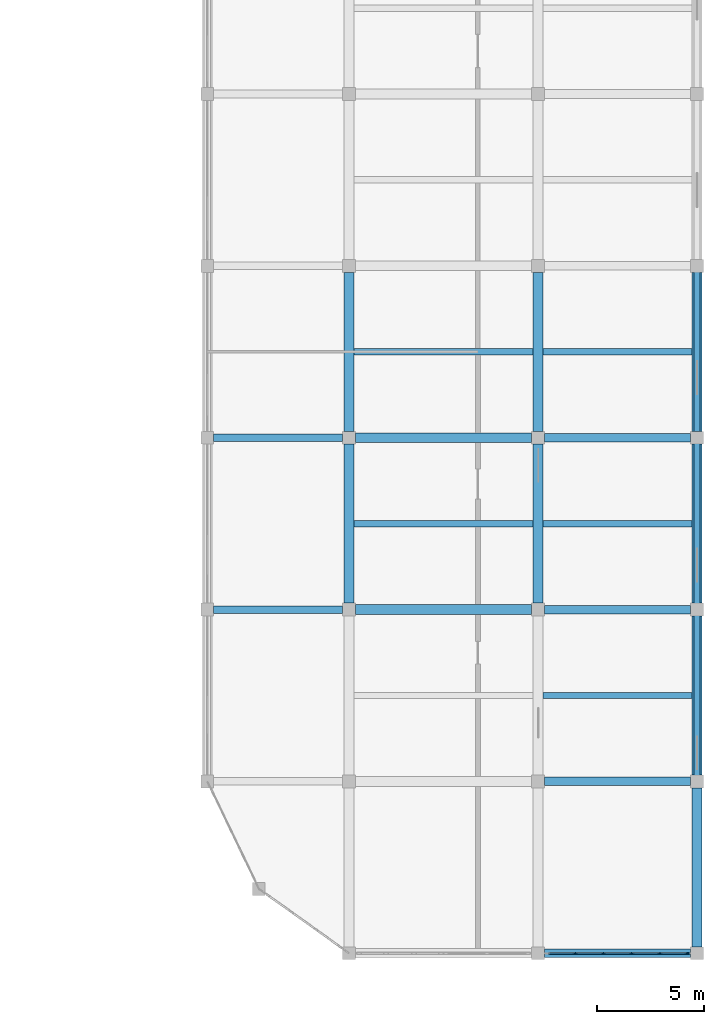
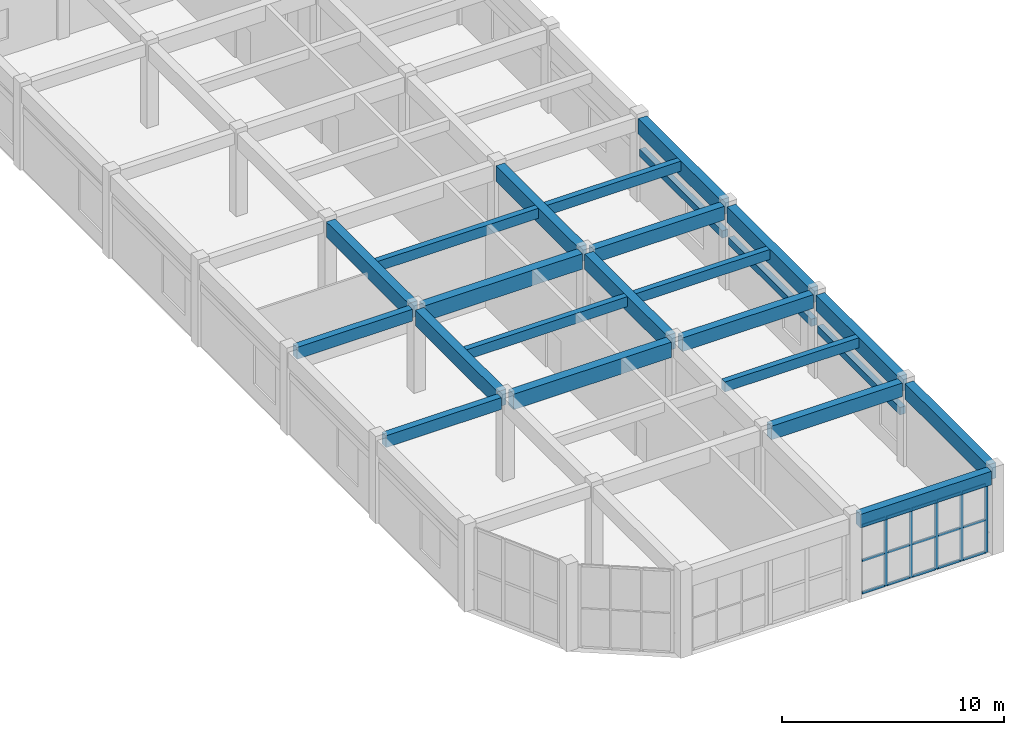
# One storey, part 40 of 76: 24 beams, 20 members, 1 element without a shape of its own.
"""IFC4 building model written with IfcOpenShell, lengths in metres."""

from ifc_helpers import new_model, si_unit, direction, frame, origin, origin_2d, place, context, subcontext, project, spatial, rectangle, extrude, material, layer, layer_set, material_profile, profile_set, type_object, element, aggregate, save


model = new_model("IFC4")

# Units and contexts
model_context = context("Model", 3, precision=1e-05, world=origin(), true_north=direction((0.0, 1.0)))
body_context = subcontext(model_context, "Body", "Model", "MODEL_VIEW")
ifc_project = project(units=[si_unit("LENGTHUNIT", "METRE"), si_unit("AREAUNIT", "SQUARE_METRE"), si_unit("VOLUMEUNIT", "CUBIC_METRE"), si_unit("PLANEANGLEUNIT", "RADIAN"), si_unit("MASSUNIT", "GRAM", prefix="KILO")], contexts=[model_context])

# Site, building, storey
site_placement = place(None, origin())
site = spatial("IfcSite", under=ifc_project, at=site_placement, CompositionType="ELEMENT")
building_placement = place(site_placement, origin())
building = spatial("IfcBuilding", under=site, at=building_placement, Name="Cinchona Park Media Centre", CompositionType="ELEMENT")
storey_placement = place(building_placement, frame((0.0, 0.0, 15.60009765625)))
storey = spatial("IfcBuildingStorey", under=building, at=storey_placement, Name="L03", CompositionType="ELEMENT", Elevation=15.60009765625)

# Beams
ifc_material_1 = material(Name="Concrete C35/45", Category="concrete")
ifc_material_profile_1 = material_profile(ifc_material_1, rectangle(XDim=0.39990234375, YDim=0.75, at=origin_2d()), Name="RB 400X750")
ifc_profile_set_1 = profile_set([ifc_material_profile_1], Name="Concrete C35/45")
beam_type_1 = type_object("IfcBeamType", Name="BEAM-B01-RB400X750", PredefinedType="BEAM", material=ifc_profile_set_1)
for number, where, z_axis, x_axis, name in (
    (1, (164.89990234375, 7.60009765625, 4.179931640625), (1.0, 0.0, 0.0), (0.0, 1.0, 0.0), "Beam B01 L03"),
    (2, (164.89990234375, 15.60009765625, 4.179931640625), (1.0, 0.0, 0.0), (0.0, 1.0, 0.0), "Beam B01 L03"),
    (3, (164.89990234375, 23.60009765625, 4.179931640625), (1.0, 0.0, 0.0), (0.0, 1.0, 0.0), "Beam B01 L03"),
    (4, (164.89990234375, 31.60009765625, 4.179931640625), (1.0, 0.0, 0.0), (0.0, 1.0, 0.0), "Beam B01 L03"),
):
    element("IfcBeam", number, at=place(storey_placement, frame(where, z_axis=z_axis, x_axis=x_axis)), inside=storey, type_object=beam_type_1, Name=name, PredefinedType="BEAM", context=body_context, shape_type="SweptSolid", body=[
        extrude(rectangle(XDim=0.39990234375, YDim=0.75, at=origin_2d()), origin(), (0.0, 0.0, 1.0), 6.800048828125),
    ])
ifc_material_2 = material(Name="Concrete C35/45", Category="concrete")
ifc_material_profile_2 = material_profile(ifc_material_2, rectangle(XDim=0.449951171875, YDim=0.85009765625, at=origin_2d()), Name="RB 450X850")
ifc_profile_set_2 = profile_set([ifc_material_profile_2], Name="Concrete C35/45")
beam_type_2 = type_object("IfcBeamType", Name="BEAM-B02-RB450X850", PredefinedType="BEAM", material=ifc_profile_set_2)
for number, where, z_axis, x_axis, name in (
    (5, (156.10009765625, 23.60009765625, 4.1298828125), (1.0, 0.0, 0.0), (0.0, 1.0, 0.0), "Beam B02 L03"),
    (6, (156.10009765625, 31.60009765625, 4.1298828125), (1.0, 0.0, 0.0), (0.0, 1.0, 0.0), "Beam B02 L03"),
):
    element("IfcBeam", number, at=place(storey_placement, frame(where, z_axis=z_axis, x_axis=x_axis)), inside=storey, type_object=beam_type_2, Name=name, PredefinedType="BEAM", context=body_context, shape_type="SweptSolid", body=[
        extrude(rectangle(XDim=0.449951171875, YDim=0.85009765625, at=origin_2d()), origin(), (0.0, 0.0, 1.0), 8.199951171875),
    ])
for number, where, z_axis, x_axis, name in (
    (7, (155.800048828125, 23.89990234375, 4.1298828125), (0.0, 1.0, 0.0), (-1.0, 0.0, 0.0), "Girder B02 L03"),
    (8, (155.800048828125, 31.89990234375, 4.1298828125), (0.0, 1.0, 0.0), (-1.0, 0.0, 0.0), "Girder B02 L03"),
    (9, (164.60009765625, 23.89990234375, 4.1298828125), (0.0, 1.0, 0.0), (-1.0, 0.0, 0.0), "Girder B02 L03"),
    (10, (164.60009765625, 31.89990234375, 4.1298828125), (0.0, 1.0, 0.0), (-1.0, 0.0, 0.0), "Girder B02 L03"),
    (11, (172.0, 7.89990234375, 4.1298828125), (0.0, 1.0, 0.0), (-1.0, 0.0, 0.0), "Girder B02 L03"),
    (12, (172.0, 15.89990234375, 4.1298828125), (0.0, 1.0, 0.0), (-1.0, 0.0, 0.0), "Girder B02 L03"),
    (13, (172.0, 23.89990234375, 4.1298828125), (0.0, 1.0, 0.0), (-1.0, 0.0, 0.0), "Girder B02 L03"),
    (14, (172.0, 31.89990234375, 4.1298828125), (0.0, 1.0, 0.0), (-1.0, 0.0, 0.0), "Girder B02 L03"),
):
    element("IfcBeam", number, at=place(storey_placement, frame(where, z_axis=z_axis, x_axis=x_axis)), inside=storey, type_object=beam_type_2, Name=name, PredefinedType="BEAM", context=body_context, shape_type="SweptSolid", body=[
        extrude(rectangle(XDim=0.449951171875, YDim=0.85009765625, at=origin_2d()), origin(), (0.0, 0.0, 1.0), 7.400146484375),
    ])
ifc_material_3 = material(Name="Concrete C35/45", Category="concrete")
ifc_material_profile_3 = material_profile(ifc_material_3, rectangle(XDim=0.35009765625, YDim=0.64990234375, at=origin_2d()), Name="RB 350X650")
ifc_profile_set_3 = profile_set([ifc_material_profile_3], Name="Concrete C35/45")
beam_type_3 = type_object("IfcBeamType", Name="BEAM-B04-RB350X650", PredefinedType="BEAM", material=ifc_profile_set_3)
for number, where, z_axis, x_axis, name in (
    (15, (149.5, 23.60009765625, 4.22998046875), (1.0, 0.0, 0.0), (0.0, 1.0, 0.0), "Beam B04 L03"),
    (16, (149.5, 31.60009765625, 4.22998046875), (1.0, 0.0, 0.0), (0.0, 1.0, 0.0), "Beam B04 L03"),
):
    element("IfcBeam", number, at=place(storey_placement, frame(where, z_axis=z_axis, x_axis=x_axis)), inside=storey, type_object=beam_type_3, Name=name, PredefinedType="BEAM", context=body_context, shape_type="SweptSolid", body=[
        extrude(rectangle(XDim=0.35009765625, YDim=0.64990234375, at=origin_2d()), origin(), (0.0, 0.0, 1.0), 6.0),
    ])
ifc_material_4 = material(Name="Concrete C35/45", Category="concrete")
ifc_material_profile_4 = material_profile(ifc_material_4, rectangle(XDim=0.300048828125, YDim=0.550048828125, at=origin_2d()), Name="RB 300X550")
ifc_profile_set_4 = profile_set([ifc_material_profile_4], Name="Concrete C35/45")
beam_type_4 = type_object("IfcBeamType", Name="BEAM-J01-RB300X550", PredefinedType="JOIST", material=ifc_profile_set_4)
for number, where, z_axis, x_axis, name in (
    (17, (156.02490234375, 27.60009765625, 4.27978515625), (1.0, 0.0, 0.0), (0.0, 1.0, 0.0), "Floor Joist J01 L03"),
    (18, (156.02490234375, 35.60009765625, 4.27978515625), (1.0, 0.0, 0.0), (0.0, 1.0, 0.0), "Floor Joist J01 L03"),
):
    element("IfcBeam", number, at=place(storey_placement, frame(where, z_axis=z_axis, x_axis=x_axis)), inside=storey, type_object=beam_type_4, Name=name, PredefinedType="JOIST", context=body_context, shape_type="SweptSolid", body=[
        extrude(rectangle(XDim=0.300048828125, YDim=0.550048828125, at=origin_2d()), origin(), (0.0, 0.0, 1.0), 8.35009765625),
    ])
for number, where, z_axis, x_axis, name in (
    (19, (164.824951171875, 19.60009765625, 4.27978515625), (1.0, 0.0, 0.0), (0.0, 1.0, 0.0), "Floor Joist J01 L03"),
    (20, (164.824951171875, 27.60009765625, 4.27978515625), (1.0, 0.0, 0.0), (0.0, 1.0, 0.0), "Floor Joist J01 L03"),
    (21, (164.824951171875, 35.60009765625, 4.27978515625), (1.0, 0.0, 0.0), (0.0, 1.0, 0.0), "Floor Joist J01 L03"),
):
    element("IfcBeam", number, at=place(storey_placement, frame(where, z_axis=z_axis, x_axis=x_axis)), inside=storey, type_object=beam_type_4, Name=name, PredefinedType="JOIST", context=body_context, shape_type="SweptSolid", body=[
        extrude(rectangle(XDim=0.300048828125, YDim=0.550048828125, at=origin_2d()), origin(), (0.0, 0.0, 1.0), 6.949951171875),
    ])
ifc_material_5 = material(Name="Concrete C35/45", Category="concrete")
ifc_material_profile_5 = material_profile(ifc_material_5, rectangle(XDim=0.300048828125, YDim=0.39990234375, at=origin_2d()), Name="RL 300X400")
ifc_profile_set_5 = profile_set([ifc_material_profile_5], Name="Concrete C35/45")
beam_type_5 = type_object("IfcBeamType", Name="BEAM-LN02-RL300X400", PredefinedType="LINTEL", material=ifc_profile_set_5)
for number, where, z_axis, x_axis, name in (
    (22, (172.0, 39.320068359375, 2.64990234375), (0.0, -1.0, 0.0), (1.0, 0.0, 0.0), "Window Lintel LN02"),
    (23, (172.0, 31.320068359375, 2.64990234375), (0.0, -1.0, 0.0), (1.0, 0.0, 0.0), "Window Lintel LN02"),
    (24, (172.0, 23.320068359375, 2.64990234375), (0.0, -1.0, 0.0), (1.0, 0.0, 0.0), "Window Lintel LN02"),
):
    element("IfcBeam", number, at=place(storey_placement, frame(where, z_axis=z_axis, x_axis=x_axis)), inside=storey, type_object=beam_type_5, Name=name, PredefinedType="LINTEL", context=body_context, shape_type="SweptSolid", body=[
        extrude(rectangle(XDim=0.300048828125, YDim=0.39990234375, at=origin_2d()), origin(), (0.0, 0.0, 1.0), 7.440185546875),
    ])

# Curtain wall, members
ifc_material_6 = material(Name="Aluminium Curtain Wall Framing", Category="aluminium")
ifc_layer = layer(ifc_material_6, 0.195068359375)
ifc_layer_set = layer_set([ifc_layer], Name="Aluminium Curtain Wall Framing")
curtain_wall_type = type_object("IfcCurtainWallType", Name="CW-CW02", PredefinedType="USERDEFINED", material=ifc_layer_set)
curtain_wall_placement = place(storey_placement, origin())
curtain_wall = element("IfcCurtainWall", 25, at=curtain_wall_placement, inside=storey, type_object=curtain_wall_type, Name="Curtain Wall CW02 L03", ObjectType="UNITISED CURTAIN WALL", PredefinedType="USERDEFINED")
ifc_material_7 = material(Name="Anodised Aluminium Alloy 6063-T6", Category="aluminium")
ifc_material_profile_6 = material_profile(ifc_material_7, rectangle(XDim=0.070068359375, YDim=0.179931640625, at=origin_2d()), Name="MUL-70X180")
ifc_profile_set_6 = profile_set([ifc_material_profile_6], Name="Anodised Aluminium Alloy 6063-T6")
member_type_1 = type_object("IfcMemberType", Name="MULLION-MUL02", PredefinedType="MULLION", material=ifc_profile_set_6)
member_1_placement = place(storey_placement, frame((171.544921875, 7.60009765625, 0.0498046875), z_axis=(0.0, 0.0, 1.0), x_axis=(0.0, -1.0, 0.0)))
member_1 = element("IfcMember", 26, at=member_1_placement, type_object=member_type_1, Name="CW02 mullion 1", PredefinedType="MULLION", context=body_context, shape_type="SweptSolid", body=[
    extrude(rectangle(XDim=0.070068359375, YDim=0.179931640625, at=origin_2d()), origin(), (0.0, 0.0, 1.0), 3.755126953125),
])
member_2_placement = place(storey_placement, frame((170.26806640625, 7.60009765625, 0.0498046875), z_axis=(0.0, 0.0, 1.0), x_axis=(0.0, -1.0, 0.0)))
member_2 = element("IfcMember", 27, at=member_2_placement, type_object=member_type_1, Name="CW02 mullion 2", PredefinedType="MULLION", context=body_context, shape_type="SweptSolid", body=[
    extrude(rectangle(XDim=0.070068359375, YDim=0.179931640625, at=origin_2d()), origin(), (0.0, 0.0, 1.0), 3.755126953125),
])
member_3_placement = place(storey_placement, frame((168.9560546875, 7.60009765625, 0.0498046875), z_axis=(0.0, 0.0, 1.0), x_axis=(0.0, -1.0, 0.0)))
member_3 = element("IfcMember", 28, at=member_3_placement, type_object=member_type_1, Name="CW02 mullion 3", PredefinedType="MULLION", context=body_context, shape_type="SweptSolid", body=[
    extrude(rectangle(XDim=0.070068359375, YDim=0.179931640625, at=origin_2d()), origin(), (0.0, 0.0, 1.0), 3.755126953125),
])
member_4_placement = place(storey_placement, frame((167.64404296875, 7.60009765625, 0.0498046875), z_axis=(0.0, 0.0, 1.0), x_axis=(0.0, -1.0, 0.0)))
member_4 = element("IfcMember", 29, at=member_4_placement, type_object=member_type_1, Name="CW02 mullion 4", PredefinedType="MULLION", context=body_context, shape_type="SweptSolid", body=[
    extrude(rectangle(XDim=0.070068359375, YDim=0.179931640625, at=origin_2d()), origin(), (0.0, 0.0, 1.0), 3.755126953125),
])
member_5_placement = place(storey_placement, frame((166.33203125, 7.60009765625, 0.0498046875), z_axis=(0.0, 0.0, 1.0), x_axis=(0.0, -1.0, 0.0)))
member_5 = element("IfcMember", 30, at=member_5_placement, type_object=member_type_1, Name="CW02 mullion 5", PredefinedType="MULLION", context=body_context, shape_type="SweptSolid", body=[
    extrude(rectangle(XDim=0.070068359375, YDim=0.179931640625, at=origin_2d()), origin(), (0.0, 0.0, 1.0), 3.755126953125),
])
ifc_material_8 = material(Name="Anodised Aluminium Alloy 6063-T6", Category="aluminium")
ifc_material_profile_7 = material_profile(ifc_material_8, rectangle(XDim=0.070068359375, YDim=0.139892578125, at=origin_2d()), Name="TRN-70X140")
ifc_profile_set_7 = profile_set([ifc_material_profile_7], Name="Anodised Aluminium Alloy 6063-T6")
member_type_2 = type_object("IfcMemberType", Name="TRANSOM-TRN02", PredefinedType="USERDEFINED", material=ifc_profile_set_7)
member_6_placement = place(storey_placement, frame((171.510009765625, 7.60009765625, 0.0849609375), z_axis=(-1.0, 0.0, 0.0), x_axis=(0.0, -1.0, 0.0)))
member_6 = element("IfcMember", 31, at=member_6_placement, type_object=member_type_2, Name="CW02 transom 1.1", ObjectType="TRANSOM", PredefinedType="USERDEFINED", context=body_context, shape_type="SweptSolid", body=[
    extrude(rectangle(XDim=0.070068359375, YDim=0.139892578125, at=origin_2d()), origin(), (0.0, 0.0, 1.0), 1.20703125),
])
member_7_placement = place(storey_placement, frame((171.510009765625, 7.60009765625, 1.851806640625), z_axis=(-1.0, 0.0, 0.0), x_axis=(0.0, -1.0, 0.0)))
member_7 = element("IfcMember", 32, at=member_7_placement, type_object=member_type_2, Name="CW02 transom 1.2", ObjectType="TRANSOM", PredefinedType="USERDEFINED", context=body_context, shape_type="SweptSolid", body=[
    extrude(rectangle(XDim=0.070068359375, YDim=0.139892578125, at=origin_2d()), origin(), (0.0, 0.0, 1.0), 1.20703125),
])
member_8_placement = place(storey_placement, frame((171.510009765625, 7.60009765625, 3.77001953125), z_axis=(-1.0, 0.0, 0.0), x_axis=(0.0, -1.0, 0.0)))
member_8 = element("IfcMember", 33, at=member_8_placement, type_object=member_type_2, Name="CW02 transom 1.3", ObjectType="TRANSOM", PredefinedType="USERDEFINED", context=body_context, shape_type="SweptSolid", body=[
    extrude(rectangle(XDim=0.070068359375, YDim=0.139892578125, at=origin_2d()), origin(), (0.0, 0.0, 1.0), 1.20703125),
])
member_9_placement = place(storey_placement, frame((170.23291015625, 7.60009765625, 0.0849609375), z_axis=(-1.0, 0.0, 0.0), x_axis=(0.0, -1.0, 0.0)))
member_9 = element("IfcMember", 34, at=member_9_placement, type_object=member_type_2, Name="CW02 transom 2.1", ObjectType="TRANSOM", PredefinedType="USERDEFINED", context=body_context, shape_type="SweptSolid", body=[
    extrude(rectangle(XDim=0.070068359375, YDim=0.139892578125, at=origin_2d()), origin(), (0.0, 0.0, 1.0), 1.241943359375),
])
member_10_placement = place(storey_placement, frame((170.23291015625, 7.60009765625, 1.851806640625), z_axis=(-1.0, 0.0, 0.0), x_axis=(0.0, -1.0, 0.0)))
member_10 = element("IfcMember", 35, at=member_10_placement, type_object=member_type_2, Name="CW02 transom 2.2", ObjectType="TRANSOM", PredefinedType="USERDEFINED", context=body_context, shape_type="SweptSolid", body=[
    extrude(rectangle(XDim=0.070068359375, YDim=0.139892578125, at=origin_2d()), origin(), (0.0, 0.0, 1.0), 1.241943359375),
])
member_11_placement = place(storey_placement, frame((170.23291015625, 7.60009765625, 3.77001953125), z_axis=(-1.0, 0.0, 0.0), x_axis=(0.0, -1.0, 0.0)))
member_11 = element("IfcMember", 36, at=member_11_placement, type_object=member_type_2, Name="CW02 transom 2.3", ObjectType="TRANSOM", PredefinedType="USERDEFINED", context=body_context, shape_type="SweptSolid", body=[
    extrude(rectangle(XDim=0.070068359375, YDim=0.139892578125, at=origin_2d()), origin(), (0.0, 0.0, 1.0), 1.241943359375),
])
member_12_placement = place(storey_placement, frame((168.9208984375, 7.60009765625, 0.0849609375), z_axis=(-1.0, 0.0, 0.0), x_axis=(0.0, -1.0, 0.0)))
member_12 = element("IfcMember", 37, at=member_12_placement, type_object=member_type_2, Name="CW02 transom 3.1", ObjectType="TRANSOM", PredefinedType="USERDEFINED", context=body_context, shape_type="SweptSolid", body=[
    extrude(rectangle(XDim=0.070068359375, YDim=0.139892578125, at=origin_2d()), origin(), (0.0, 0.0, 1.0), 1.241943359375),
])
member_13_placement = place(storey_placement, frame((168.9208984375, 7.60009765625, 1.851806640625), z_axis=(-1.0, 0.0, 0.0), x_axis=(0.0, -1.0, 0.0)))
member_13 = element("IfcMember", 38, at=member_13_placement, type_object=member_type_2, Name="CW02 transom 3.2", ObjectType="TRANSOM", PredefinedType="USERDEFINED", context=body_context, shape_type="SweptSolid", body=[
    extrude(rectangle(XDim=0.070068359375, YDim=0.139892578125, at=origin_2d()), origin(), (0.0, 0.0, 1.0), 1.241943359375),
])
member_14_placement = place(storey_placement, frame((168.9208984375, 7.60009765625, 3.77001953125), z_axis=(-1.0, 0.0, 0.0), x_axis=(0.0, -1.0, 0.0)))
member_14 = element("IfcMember", 39, at=member_14_placement, type_object=member_type_2, Name="CW02 transom 3.3", ObjectType="TRANSOM", PredefinedType="USERDEFINED", context=body_context, shape_type="SweptSolid", body=[
    extrude(rectangle(XDim=0.070068359375, YDim=0.139892578125, at=origin_2d()), origin(), (0.0, 0.0, 1.0), 1.241943359375),
])
member_15_placement = place(storey_placement, frame((167.60888671875, 7.60009765625, 0.0849609375), z_axis=(-1.0, 0.0, 0.0), x_axis=(0.0, -1.0, 0.0)))
member_15 = element("IfcMember", 40, at=member_15_placement, type_object=member_type_2, Name="CW02 transom 4.1", ObjectType="TRANSOM", PredefinedType="USERDEFINED", context=body_context, shape_type="SweptSolid", body=[
    extrude(rectangle(XDim=0.070068359375, YDim=0.139892578125, at=origin_2d()), origin(), (0.0, 0.0, 1.0), 1.241943359375),
])
member_16_placement = place(storey_placement, frame((167.60888671875, 7.60009765625, 1.851806640625), z_axis=(-1.0, 0.0, 0.0), x_axis=(0.0, -1.0, 0.0)))
member_16 = element("IfcMember", 41, at=member_16_placement, type_object=member_type_2, Name="CW02 transom 4.2", ObjectType="TRANSOM", PredefinedType="USERDEFINED", context=body_context, shape_type="SweptSolid", body=[
    extrude(rectangle(XDim=0.070068359375, YDim=0.139892578125, at=origin_2d()), origin(), (0.0, 0.0, 1.0), 1.241943359375),
])
member_17_placement = place(storey_placement, frame((167.60888671875, 7.60009765625, 3.77001953125), z_axis=(-1.0, 0.0, 0.0), x_axis=(0.0, -1.0, 0.0)))
member_17 = element("IfcMember", 42, at=member_17_placement, type_object=member_type_2, Name="CW02 transom 4.3", ObjectType="TRANSOM", PredefinedType="USERDEFINED", context=body_context, shape_type="SweptSolid", body=[
    extrude(rectangle(XDim=0.070068359375, YDim=0.139892578125, at=origin_2d()), origin(), (0.0, 0.0, 1.0), 1.241943359375),
])
member_18_placement = place(storey_placement, frame((166.297119140625, 7.60009765625, 0.0849609375), z_axis=(-1.0, 0.0, 0.0), x_axis=(0.0, -1.0, 0.0)))
member_18 = element("IfcMember", 43, at=member_18_placement, type_object=member_type_2, Name="CW02 transom 5.1", ObjectType="TRANSOM", PredefinedType="USERDEFINED", context=body_context, shape_type="SweptSolid", body=[
    extrude(rectangle(XDim=0.070068359375, YDim=0.139892578125, at=origin_2d()), origin(), (0.0, 0.0, 1.0), 1.20703125),
])
member_19_placement = place(storey_placement, frame((166.297119140625, 7.60009765625, 1.851806640625), z_axis=(-1.0, 0.0, 0.0), x_axis=(0.0, -1.0, 0.0)))
member_19 = element("IfcMember", 44, at=member_19_placement, type_object=member_type_2, Name="CW02 transom 5.2", ObjectType="TRANSOM", PredefinedType="USERDEFINED", context=body_context, shape_type="SweptSolid", body=[
    extrude(rectangle(XDim=0.070068359375, YDim=0.139892578125, at=origin_2d()), origin(), (0.0, 0.0, 1.0), 1.20703125),
])
member_20_placement = place(storey_placement, frame((166.297119140625, 7.60009765625, 3.77001953125), z_axis=(-1.0, 0.0, 0.0), x_axis=(0.0, -1.0, 0.0)))
member_20 = element("IfcMember", 45, at=member_20_placement, type_object=member_type_2, Name="CW02 transom 5.3", ObjectType="TRANSOM", PredefinedType="USERDEFINED", context=body_context, shape_type="SweptSolid", body=[
    extrude(rectangle(XDim=0.070068359375, YDim=0.139892578125, at=origin_2d()), origin(), (0.0, 0.0, 1.0), 1.20703125),
])
aggregate(curtain_wall, [member_1, member_2, member_3, member_4, member_5, member_6, member_7, member_8, member_9, member_10, member_11, member_12, member_13, member_14, member_15, member_16, member_17, member_18, member_19, member_20])

save(model, "model.ifc")
